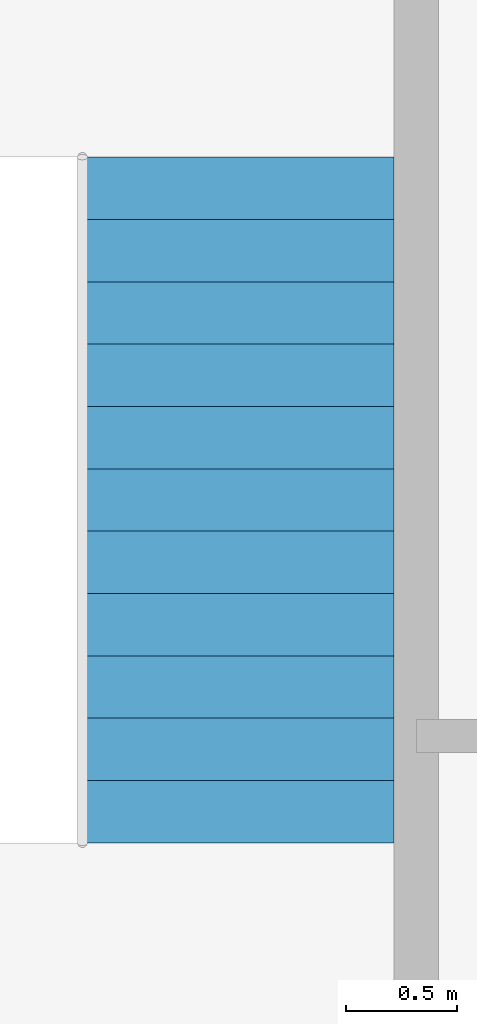
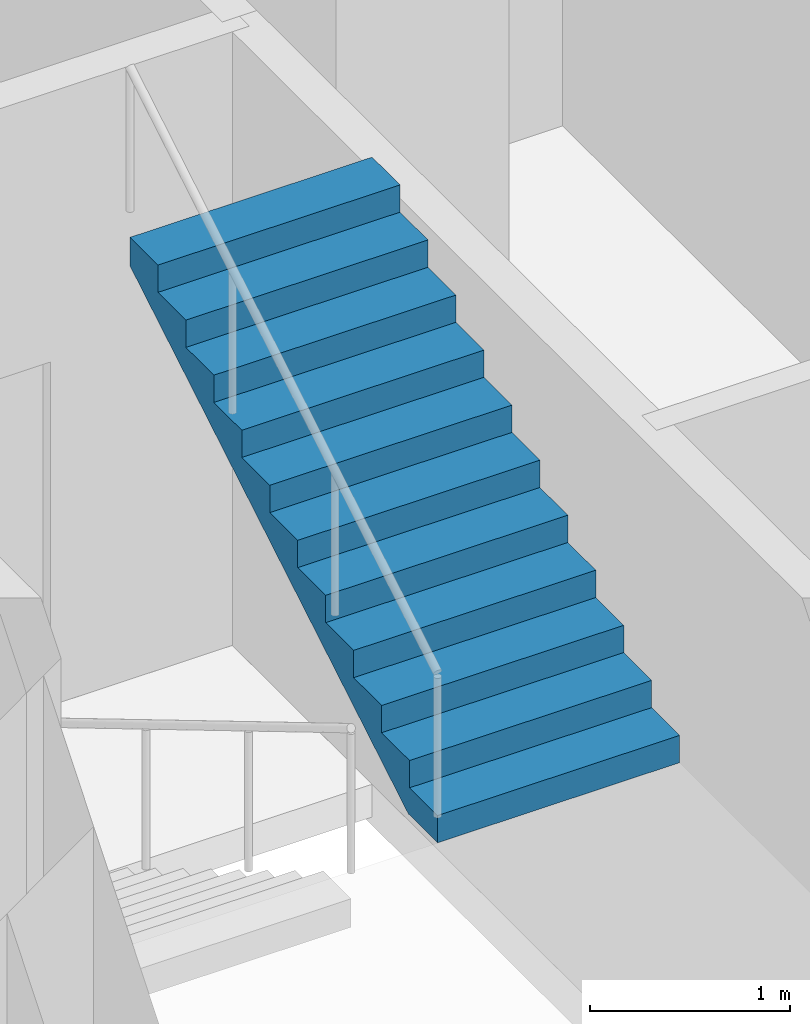
# One storey, part 12 of 13: 1 stair flight, 1 element without a shape of its own.
"""IFC4 building model written with IfcOpenShell, lengths in metres."""

from ifc_helpers import new_model, si_unit, direction, frame, origin, place, context, subcontext, project, spatial, polyline, outline, extrude, material, type_object, element, aggregate, save


model = new_model("IFC4")

# Units and contexts
model_context = context("Model", 3, precision=1e-05, world=origin(), true_north=direction((0.0, 1.0)))
body_context = subcontext(model_context, "Body", "Model", "MODEL_VIEW")
ifc_project = project(units=[si_unit("LENGTHUNIT", "METRE"), si_unit("AREAUNIT", "SQUARE_METRE"), si_unit("VOLUMEUNIT", "CUBIC_METRE"), si_unit("PLANEANGLEUNIT", "RADIAN"), si_unit("MASSUNIT", "GRAM", prefix="KILO")], contexts=[model_context])

# Site, building, storey
site_placement = place(None, origin())
site = spatial("IfcSite", under=ifc_project, at=site_placement, CompositionType="ELEMENT")
building_placement = place(site_placement, origin())
building = spatial("IfcBuilding", under=site, at=building_placement, Name="Malebo Sky Hospital", CompositionType="ELEMENT")
storey_placement = place(building_placement, frame((0.0, 0.0, 79.0)))
storey = spatial("IfcBuildingStorey", under=building, at=storey_placement, Name="L18", CompositionType="ELEMENT", Elevation=79.0)

# Stair, stair flight
ifc_material = material(Name="Concrete C40/50", Category="concrete")
stair_type = type_object("IfcStairType", Name="HALF-TURN STAIR 1400 R167", PredefinedType="HALF_TURN_STAIR", material=ifc_material)
stair_placement = place(storey_placement, origin())
stair = element("IfcStair", 1, at=stair_placement, inside=storey, type_object=stair_type, Name="Stair S3 L18 type ST1B", PredefinedType="HALF_TURN_STAIR")
stair_flight_type = type_object("IfcStairFlightType", Name="STAIR FLIGHT 1400 R167", PredefinedType="STRAIGHT", material=ifc_material)
stair_flight_placement = place(storey_placement, frame((71.699951171875, 70.52001953125, 2.0), z_axis=(0.0, 0.0, 1.0), x_axis=(0.0, 1.0, 0.0)))
stair_flight = element("IfcStairFlight", 2, at=stair_flight_placement, type_object=stair_flight_type, Name="S3 flight 2 type SF1B", NumberOfRisers=12, NumberOfTreads=11, PredefinedType="STRAIGHT", RiserHeight=0.166666667, TreadLength=0.28, context=body_context, shape_type="SweptSolid", body=[
    extrude(outline(polyline([(0.0, 0.0), (0.0, 0.166748046875), (0.280029296875, 0.166748046875), (0.280029296875, 0.333251953125), (0.56005859375, 0.333251953125), (0.56005859375, 0.5), (0.840087890625, 0.5), (0.840087890625, 0.666748046875), (1.1201171875, 0.666748046875), (1.1201171875, 0.833251953125), (1.39990234375, 0.833251953125), (1.39990234375, 1.0), (1.679931640625, 1.0), (1.679931640625, 1.166748046875), (1.9599609375, 1.166748046875), (1.9599609375, 1.333251953125), (2.239990234375, 1.333251953125), (2.239990234375, 1.5), (2.52001953125, 1.5), (2.52001953125, 1.666748046875), (2.800048828125, 1.666748046875), (2.800048828125, 1.833251953125), (3.080078125, 1.833251953125), (3.080078125, 2.0), (3.080078125, 1.658935546875), (0.29296875, 0.0), (0.0, 0.0)])), frame((0.0, 0.699951171875, 0.0), z_axis=(0.0, -1.0, 0.0), x_axis=(1.0, 0.0, 0.0)), (0.0, 0.0, 1.0), 1.39990234375),
])
aggregate(stair, [stair_flight])

save(model, "model.ifc")
